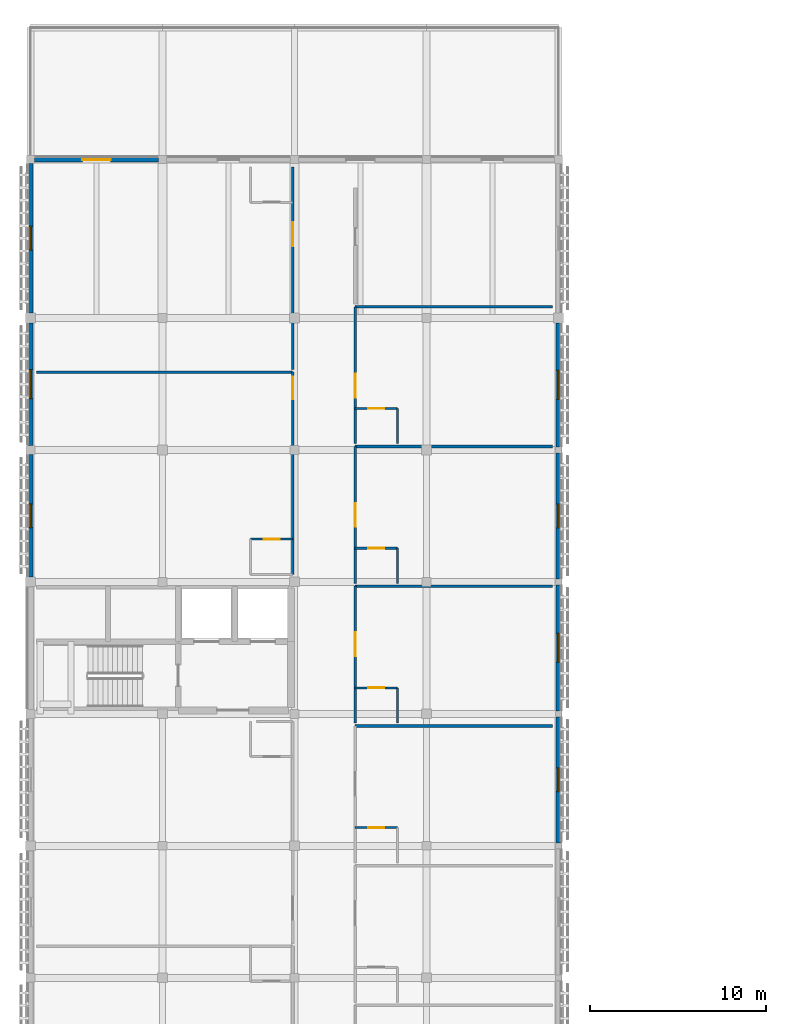
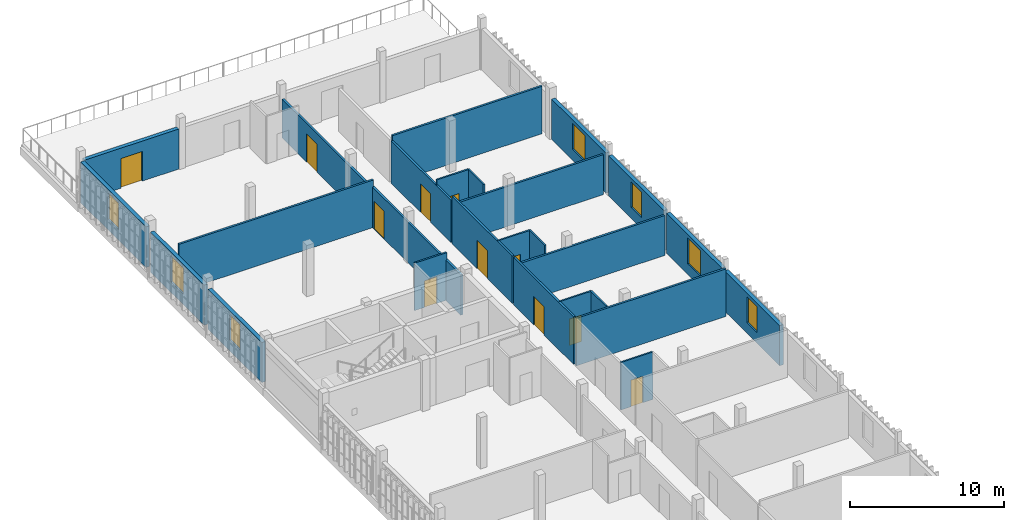
# One storey, part 7 of 17: 26 walls, 11 doors, 7 windows, 18 openings.
"""IFC4 building model written with IfcOpenShell, lengths in metres."""

from ifc_helpers import new_model, si_unit, direction, frame, frame_2d, origin, place, context, subcontext, project, spatial, rectangle, extrude, material, layer, layer_set, type_object, element, fill, save


model = new_model("IFC4")

# Units and contexts
model_context = context("Model", 3, precision=1e-05, world=origin(), true_north=direction((0.0, 1.0)))
body_context = subcontext(model_context, "Body", "Model", "MODEL_VIEW")
ifc_project = project(units=[si_unit("LENGTHUNIT", "METRE"), si_unit("AREAUNIT", "SQUARE_METRE"), si_unit("VOLUMEUNIT", "CUBIC_METRE"), si_unit("PLANEANGLEUNIT", "RADIAN"), si_unit("MASSUNIT", "GRAM", prefix="KILO")], contexts=[model_context])

# Site, building, storey
site_placement = place(None, origin())
site = spatial("IfcSite", under=ifc_project, at=site_placement, CompositionType="ELEMENT")
building_placement = place(site_placement, origin())
building = spatial("IfcBuilding", under=site, at=building_placement, Name="Dalvernix Boulevard General Hospital", CompositionType="ELEMENT")
storey_placement = place(building_placement, frame((0.0, 0.0, 25.949951171875)))
storey = spatial("IfcBuildingStorey", under=building, at=storey_placement, Name="L06", CompositionType="ELEMENT", Elevation=25.949951171875)

# Wall, opening, window
ifc_material_1 = material(Name="Screened upper-ward insulated masonry cavity wall C35/45", Category="masonry")
ifc_layer_1 = layer(ifc_material_1, 0.280029296875)
ifc_layer_set_1 = layer_set([ifc_layer_1], Name="Screened upper-ward insulated masonry cavity wall C35/45 (WAL-EW-03)")
wall_type_1 = type_object("IfcWallType", Name="WAL-EW-03", PredefinedType="STANDARD", material=ifc_layer_set_1)
wall_1_placement = place(storey_placement, frame((0.0, 61.784912109375, 0.0), z_axis=(0.0, 0.0, 1.0), x_axis=(0.0, 1.0, 0.0)))
wall_1 = element("IfcWall", 1, at=wall_1_placement, inside=storey, type_object=wall_type_1, Name="L06 Catalan brick external wall W 0-8", PredefinedType="STANDARD", context=body_context, shape_type="SweptSolid", body=[
    extrude(rectangle(XDim=6.955078125, YDim=0.280029296875, at=frame_2d((3.4775390625, 0.0))), origin(), (0.0, 0.0, 1.0), 3.170166015625),
])
opening_1_placement = place(wall_1_placement, frame((2.802490234375, 0.0, 0.85009765625)))
opening_1 = element("IfcOpeningElement", 2, at=opening_1_placement, cuts=wall_1, Name="Opening WN-19", PredefinedType="OPENING", context=body_context, shape_type="SweptSolid", body=[
    extrude(rectangle(XDim=1.35009765625, YDim=2.0400390625, at=frame_2d((0.675048828125, 1.02001953125))), frame((0.0, 0.14990234375, 0.0), z_axis=(0.0, -1.0, 0.0), x_axis=(1.0, 0.0, 0.0)), (0.0, 0.0, 1.0), 0.300048828125),
])
ifc_material_2 = material(Name="Thermally broken aluminium frame with solar-control double glazing", Category="aluminium")
window_type_1 = type_object("IfcWindowType", Name="WIN-WN-19", PartitioningType="SINGLE_PANEL", PredefinedType="WINDOW", material=ifc_material_2)
window_1_placement = place(opening_1_placement, origin())
window_1 = element("IfcWindow", 3, at=window_1_placement, inside=storey, type_object=window_type_1, Name="L06 clinical window WN-19 W 0-8", OverallHeight=2.0400390625, OverallWidth=1.35009765625, PartitioningType="SINGLE_PANEL", PredefinedType="WINDOW", context=body_context, shape_type="SweptSolid", body=[
    extrude(rectangle(XDim=1.35009765625, YDim=2.0400390625, at=frame_2d((0.675048828125, 1.02001953125))), frame((0.0, 0.030029296875, 0.0), z_axis=(0.0, -1.0, 0.0), x_axis=(1.0, 0.0, 0.0)), (0.0, 0.0, 1.0), 0.06005859375),
])
fill(opening_1, window_1)

wall_2_placement = place(storey_placement, frame((0.0, 69.260009765625, 0.0), z_axis=(0.0, 0.0, 1.0), x_axis=(0.0, 1.0, 0.0)))
wall_2 = element("IfcWall", 4, at=wall_2_placement, inside=storey, type_object=wall_type_1, Name="L06 Catalan brick external wall W 0-9", PredefinedType="STANDARD", context=body_context, shape_type="SweptSolid", body=[
    extrude(rectangle(XDim=6.955078125, YDim=0.280029296875, at=frame_2d((3.4775390625, 0.0))), origin(), (0.0, 0.0, 1.0), 3.170166015625),
])
opening_2_placement = place(wall_2_placement, frame((2.652587890625, 0.0, 0.85009765625)))
opening_2 = element("IfcOpeningElement", 5, at=opening_2_placement, cuts=wall_2, Name="Opening WN-20", PredefinedType="OPENING", context=body_context, shape_type="SweptSolid", body=[
    extrude(rectangle(XDim=1.64990234375, YDim=2.0400390625, at=frame_2d((0.824951171875, 1.02001953125))), frame((0.0, 0.14990234375, 0.0), z_axis=(0.0, -1.0, 0.0), x_axis=(1.0, 0.0, 0.0)), (0.0, 0.0, 1.0), 0.300048828125),
])
window_type_2 = type_object("IfcWindowType", Name="WIN-WN-20", PartitioningType="SINGLE_PANEL", PredefinedType="WINDOW", material=ifc_material_2)
window_2_placement = place(opening_2_placement, origin())
window_2 = element("IfcWindow", 6, at=window_2_placement, inside=storey, type_object=window_type_2, Name="L06 clinical window WN-20 W 0-9", OverallHeight=2.0400390625, OverallWidth=1.64990234375, PartitioningType="SINGLE_PANEL", PredefinedType="WINDOW", context=body_context, shape_type="SweptSolid", body=[
    extrude(rectangle(XDim=1.64990234375, YDim=2.0400390625, at=frame_2d((0.824951171875, 1.02001953125))), frame((0.0, 0.030029296875, 0.0), z_axis=(0.0, -1.0, 0.0), x_axis=(1.0, 0.0, 0.0)), (0.0, 0.0, 1.0), 0.06005859375),
])
fill(opening_2, window_2)

# Wall, opening, door
wall_3_placement = place(storey_placement, frame((0.235107421875, 85.5, 0.0), z_axis=(0.0, 0.0, 1.0), x_axis=(1.0, 0.0, 0.0)))
wall_3 = element("IfcWall", 7, at=wall_3_placement, inside=storey, type_object=wall_type_1, Name="L06 Catalan brick external wall N 0-11", PredefinedType="STANDARD", context=body_context, shape_type="SweptSolid", body=[
    extrude(rectangle(XDim=7.02978515625, YDim=0.280029296875, at=frame_2d((3.514892578125, 0.0))), origin(), (0.0, 0.0, 1.0), 3.170166015625),
])
opening_3_placement = place(wall_3_placement, frame((2.715087890625, 0.0, 0.0)))
opening_3 = element("IfcOpeningElement", 8, at=opening_3_placement, cuts=wall_3, Name="Opening TD-16", PredefinedType="OPENING", context=body_context, shape_type="SweptSolid", body=[
    extrude(rectangle(XDim=1.60009765625, YDim=2.35009765625, at=frame_2d((0.800048828125, 1.175048828125))), frame((0.0, 0.14990234375, 0.0), z_axis=(0.0, -1.0, 0.0), x_axis=(1.0, 0.0, 0.0)), (0.0, 0.0, 1.0), 0.300048828125),
])
ifc_material_3 = material(Name="Powder-coated aluminium and laminated safety glass", Category="aluminium")
door_type_1 = type_object("IfcDoorType", Name="DR-TD-16", OperationType="DOUBLE_DOOR_SINGLE_SWING", PredefinedType="DOOR", material=ifc_material_3)
door_1_placement = place(opening_3_placement, origin())
door_1 = element("IfcDoor", 9, at=door_1_placement, inside=storey, type_object=door_type_1, Name="L06 ward terrace access door N 0-11", OperationType="DOUBLE_DOOR_SINGLE_SWING", OverallHeight=2.35009765625, OverallWidth=1.60009765625, PredefinedType="DOOR", context=body_context, shape_type="SweptSolid", body=[
    extrude(rectangle(XDim=1.60009765625, YDim=2.35009765625, at=frame_2d((0.800048828125, 1.175048828125))), frame((0.0, 0.02490234375, 0.0), z_axis=(0.0, -1.0, 0.0), x_axis=(1.0, 0.0, 0.0)), (0.0, 0.0, 1.0), 0.050048828125),
])
fill(opening_3, door_1)

# Wall, opening, window
wall_4_placement = place(storey_placement, frame((0.0, 76.784912109375, 0.0), z_axis=(0.0, 0.0, 1.0), x_axis=(0.0, 1.0, 0.0)))
wall_4 = element("IfcWall", 10, at=wall_4_placement, inside=storey, type_object=wall_type_1, Name="L06 Catalan brick external wall W 0-10", PredefinedType="STANDARD", context=body_context, shape_type="SweptSolid", body=[
    extrude(rectangle(XDim=8.47998046875, YDim=0.280029296875, at=frame_2d((4.239990234375, 0.0))), origin(), (0.0, 0.0, 1.0), 3.219970703125),
])
opening_4_placement = place(wall_4_placement, frame((3.56494140625, 0.0, 0.85009765625)))
opening_4 = element("IfcOpeningElement", 11, at=opening_4_placement, cuts=wall_4, Name="Opening WN-19", PredefinedType="OPENING", context=body_context, shape_type="SweptSolid", body=[
    extrude(rectangle(XDim=1.35009765625, YDim=2.090087890625, at=frame_2d((0.675048828125, 1.044921875))), frame((0.0, 0.14990234375, 0.0), z_axis=(0.0, -1.0, 0.0), x_axis=(1.0, 0.0, 0.0)), (0.0, 0.0, 1.0), 0.300048828125),
])
window_3_placement = place(opening_4_placement, origin())
window_3 = element("IfcWindow", 12, at=window_3_placement, inside=storey, type_object=window_type_1, Name="L06 clinical window WN-19 W 0-10", OverallHeight=2.090087890625, OverallWidth=1.35009765625, PartitioningType="SINGLE_PANEL", PredefinedType="WINDOW", context=body_context, shape_type="SweptSolid", body=[
    extrude(rectangle(XDim=1.35009765625, YDim=2.090087890625, at=frame_2d((0.675048828125, 1.044921875))), frame((0.0, 0.030029296875, 0.0), z_axis=(0.0, -1.0, 0.0), x_axis=(1.0, 0.0, 0.0)), (0.0, 0.0, 1.0), 0.06005859375),
])
fill(opening_4, window_3)

wall_5_placement = place(storey_placement, frame((30.0, 53.830078125, 0.0), z_axis=(0.0, 0.0, 1.0), x_axis=(0.0, -1.0, 0.0)))
wall_5 = element("IfcWall", 13, at=wall_5_placement, inside=storey, type_object=wall_type_1, Name="L06 Catalan brick external wall E 4-6", PredefinedType="STANDARD", context=body_context, shape_type="SweptSolid", body=[
    extrude(rectangle(XDim=7.16015625, YDim=0.280029296875, at=frame_2d((3.580078125, 0.0))), origin(), (0.0, 0.0, 1.0), 3.170166015625),
])
opening_5_placement = place(wall_5_placement, frame((2.905029296875, 0.0, 0.85009765625)))
opening_5 = element("IfcOpeningElement", 14, at=opening_5_placement, cuts=wall_5, Name="Opening WN-19", PredefinedType="OPENING", context=body_context, shape_type="SweptSolid", body=[
    extrude(rectangle(XDim=1.35009765625, YDim=2.0400390625, at=frame_2d((0.675048828125, 1.02001953125))), frame((0.0, 0.14990234375, 0.0), z_axis=(0.0, -1.0, 0.0), x_axis=(1.0, 0.0, 0.0)), (0.0, 0.0, 1.0), 0.300048828125),
])
window_4_placement = place(opening_5_placement, origin())
window_4 = element("IfcWindow", 15, at=window_4_placement, inside=storey, type_object=window_type_1, Name="L06 clinical window WN-19 E 4-6", OverallHeight=2.0400390625, OverallWidth=1.35009765625, PartitioningType="SINGLE_PANEL", PredefinedType="WINDOW", context=body_context, shape_type="SweptSolid", body=[
    extrude(rectangle(XDim=1.35009765625, YDim=2.0400390625, at=frame_2d((0.675048828125, 1.02001953125))), frame((0.0, 0.030029296875, 0.0), z_axis=(0.0, -1.0, 0.0), x_axis=(1.0, 0.0, 0.0)), (0.0, 0.0, 1.0), 0.06005859375),
])
fill(opening_5, window_4)

wall_6_placement = place(storey_placement, frame((30.0, 61.330078125, 0.0), z_axis=(0.0, 0.0, 1.0), x_axis=(0.0, -1.0, 0.0)))
wall_6 = element("IfcWall", 16, at=wall_6_placement, inside=storey, type_object=wall_type_1, Name="L06 Catalan brick external wall E 4-7", PredefinedType="STANDARD", context=body_context, shape_type="SweptSolid", body=[
    extrude(rectangle(XDim=7.16015625, YDim=0.280029296875, at=frame_2d((3.580078125, 0.0))), origin(), (0.0, 0.0, 1.0), 3.170166015625),
])
opening_6_placement = place(wall_6_placement, frame((2.7548828125, 0.0, 0.85009765625)))
opening_6 = element("IfcOpeningElement", 17, at=opening_6_placement, cuts=wall_6, Name="Opening WN-20", PredefinedType="OPENING", context=body_context, shape_type="SweptSolid", body=[
    extrude(rectangle(XDim=1.64990234375, YDim=2.0400390625, at=frame_2d((0.824951171875, 1.02001953125))), frame((0.0, 0.14990234375, 0.0), z_axis=(0.0, -1.0, 0.0), x_axis=(1.0, 0.0, 0.0)), (0.0, 0.0, 1.0), 0.300048828125),
])
window_5_placement = place(opening_6_placement, origin())
window_5 = element("IfcWindow", 18, at=window_5_placement, inside=storey, type_object=window_type_2, Name="L06 clinical window WN-20 E 4-7", OverallHeight=2.0400390625, OverallWidth=1.64990234375, PartitioningType="SINGLE_PANEL", PredefinedType="WINDOW", context=body_context, shape_type="SweptSolid", body=[
    extrude(rectangle(XDim=1.64990234375, YDim=2.0400390625, at=frame_2d((0.824951171875, 1.02001953125))), frame((0.0, 0.030029296875, 0.0), z_axis=(0.0, -1.0, 0.0), x_axis=(1.0, 0.0, 0.0)), (0.0, 0.0, 1.0), 0.06005859375),
])
fill(opening_6, window_5)

wall_7_placement = place(storey_placement, frame((30.0, 68.830078125, 0.0), z_axis=(0.0, 0.0, 1.0), x_axis=(0.0, -1.0, 0.0)))
wall_7 = element("IfcWall", 19, at=wall_7_placement, inside=storey, type_object=wall_type_1, Name="L06 Catalan brick external wall E 4-8", PredefinedType="STANDARD", context=body_context, shape_type="SweptSolid", body=[
    extrude(rectangle(XDim=7.16015625, YDim=0.280029296875, at=frame_2d((3.580078125, 0.0))), origin(), (0.0, 0.0, 1.0), 3.170166015625),
])
opening_7_placement = place(wall_7_placement, frame((2.905029296875, 0.0, 0.85009765625)))
opening_7 = element("IfcOpeningElement", 20, at=opening_7_placement, cuts=wall_7, Name="Opening WN-19", PredefinedType="OPENING", context=body_context, shape_type="SweptSolid", body=[
    extrude(rectangle(XDim=1.35009765625, YDim=2.0400390625, at=frame_2d((0.675048828125, 1.02001953125))), frame((0.0, 0.14990234375, 0.0), z_axis=(0.0, -1.0, 0.0), x_axis=(1.0, 0.0, 0.0)), (0.0, 0.0, 1.0), 0.300048828125),
])
window_6_placement = place(opening_7_placement, origin())
window_6 = element("IfcWindow", 21, at=window_6_placement, inside=storey, type_object=window_type_1, Name="L06 clinical window WN-19 E 4-8", OverallHeight=2.0400390625, OverallWidth=1.35009765625, PartitioningType="SINGLE_PANEL", PredefinedType="WINDOW", context=body_context, shape_type="SweptSolid", body=[
    extrude(rectangle(XDim=1.35009765625, YDim=2.0400390625, at=frame_2d((0.675048828125, 1.02001953125))), frame((0.0, 0.030029296875, 0.0), z_axis=(0.0, -1.0, 0.0), x_axis=(1.0, 0.0, 0.0)), (0.0, 0.0, 1.0), 0.06005859375),
])
fill(opening_7, window_6)

wall_8_placement = place(storey_placement, frame((30.0, 76.215087890625, 0.0), z_axis=(0.0, 0.0, 1.0), x_axis=(0.0, -1.0, 0.0)))
wall_8 = element("IfcWall", 22, at=wall_8_placement, inside=storey, type_object=wall_type_1, Name="L06 Catalan brick external wall E 4-9", PredefinedType="STANDARD", context=body_context, shape_type="SweptSolid", body=[
    extrude(rectangle(XDim=7.045166015625, YDim=0.280029296875, at=frame_2d((3.5224609375, 0.0))), origin(), (0.0, 0.0, 1.0), 3.170166015625),
])
opening_8_placement = place(wall_8_placement, frame((2.697509765625, 0.0, 0.85009765625)))
opening_8 = element("IfcOpeningElement", 23, at=opening_8_placement, cuts=wall_8, Name="Opening WN-20", PredefinedType="OPENING", context=body_context, shape_type="SweptSolid", body=[
    extrude(rectangle(XDim=1.64990234375, YDim=2.0400390625, at=frame_2d((0.824951171875, 1.02001953125))), frame((0.0, 0.14990234375, 0.0), z_axis=(0.0, -1.0, 0.0), x_axis=(1.0, 0.0, 0.0)), (0.0, 0.0, 1.0), 0.300048828125),
])
window_7_placement = place(opening_8_placement, origin())
window_7 = element("IfcWindow", 24, at=window_7_placement, inside=storey, type_object=window_type_2, Name="L06 clinical window WN-20 E 4-9", OverallHeight=2.0400390625, OverallWidth=1.64990234375, PartitioningType="SINGLE_PANEL", PredefinedType="WINDOW", context=body_context, shape_type="SweptSolid", body=[
    extrude(rectangle(XDim=1.64990234375, YDim=2.0400390625, at=frame_2d((0.824951171875, 1.02001953125))), frame((0.0, 0.030029296875, 0.0), z_axis=(0.0, -1.0, 0.0), x_axis=(1.0, 0.0, 0.0)), (0.0, 0.0, 1.0), 0.06005859375),
])
fill(opening_8, window_7)

# Wall, opening, door
ifc_material_4 = material(Name="Acoustic double-stud gypsum inpatient partition")
ifc_layer_2 = layer(ifc_material_4, 0.14990234375)
ifc_layer_set_2 = layer_set([ifc_layer_2], Name="Acoustic double-stud gypsum inpatient partition (WAL-IW-04)")
wall_type_2 = type_object("IfcWallType", Name="WAL-IW-04", PredefinedType="PARTITIONING", material=ifc_layer_set_2)
wall_9_placement = place(storey_placement, frame((14.89990234375, 61.929931640625, 0.0), z_axis=(0.0, 0.0, 1.0), x_axis=(0.0, 1.0, 0.0)))
wall_9 = element("IfcWall", 25, at=wall_9_placement, inside=storey, type_object=wall_type_2, Name="L06 Negative-Pressure Isolation Room L06-W05 corridor wall", PredefinedType="PARTITIONING", context=body_context, shape_type="SweptSolid", body=[
    extrude(rectangle(XDim=11.489990234375, YDim=0.14990234375, at=frame_2d((5.7451171875, 0.0))), origin(), (0.0, 0.0, 1.0), 3.205078125),
])
opening_9_placement = place(wall_9_placement, frame((9.93994140625, 0.0, 0.0)))
opening_9 = element("IfcOpeningElement", 26, at=opening_9_placement, cuts=wall_9, Name="Opening ID-03", PredefinedType="OPENING", context=body_context, shape_type="SweptSolid", body=[
    extrude(rectangle(XDim=1.300048828125, YDim=2.199951171875, at=frame_2d((0.64990234375, 1.10009765625))), frame((0.0, 0.0849609375, 0.0), z_axis=(0.0, -1.0, 0.0), x_axis=(1.0, 0.0, 0.0)), (0.0, 0.0, 1.0), 0.169921875),
])
ifc_material_5 = material(Name="Hospital laminate acoustic timber and steel frame", Category="steel")
door_type_2 = type_object("IfcDoorType", Name="DR-ID-03", OperationType="NOTDEFINED", PredefinedType="DOOR", material=ifc_material_5)
door_2_placement = place(opening_9_placement, origin())
door_2 = element("IfcDoor", 27, at=door_2_placement, inside=storey, type_object=door_type_2, Name="L06 Negative-Pressure Isolation Room L06-W05 door", OperationType="SINGLE_SWING_RIGHT", OverallHeight=2.199951171875, OverallWidth=1.300048828125, PredefinedType="DOOR", context=body_context, shape_type="SweptSolid", body=[
    extrude(rectangle(XDim=1.300048828125, YDim=2.199951171875, at=frame_2d((0.64990234375, 1.10009765625))), frame((0.0, 0.02490234375, 0.0), z_axis=(0.0, -1.0, 0.0), x_axis=(1.0, 0.0, 0.0)), (0.0, 0.0, 1.0), 0.050048828125),
])
fill(opening_9, door_2)

wall_10_placement = place(storey_placement, frame((14.89990234375, 73.580078125, 0.0), z_axis=(0.0, 0.0, 1.0), x_axis=(0.0, 1.0, 0.0)))
wall_10 = element("IfcWall", 28, at=wall_10_placement, inside=storey, type_object=wall_type_2, Name="L06 Neurology Single Patient Room L06-W06 corridor wall", PredefinedType="PARTITIONING", context=body_context, shape_type="SweptSolid", body=[
    extrude(rectangle(XDim=11.489990234375, YDim=0.14990234375, at=frame_2d((5.7451171875, 0.0))), origin(), (0.0, 0.0, 1.0), 3.054931640625),
])
opening_10_placement = place(wall_10_placement, frame((6.998046875, 0.0, 0.0)))
opening_10 = element("IfcOpeningElement", 29, at=opening_10_placement, cuts=wall_10, Name="Opening ID-01", PredefinedType="OPENING", context=body_context, shape_type="SweptSolid", body=[
    extrude(rectangle(XDim=1.35009765625, YDim=2.25, at=frame_2d((0.675048828125, 1.125))), frame((0.0, 0.0849609375, 0.0), z_axis=(0.0, -1.0, 0.0), x_axis=(1.0, 0.0, 0.0)), (0.0, 0.0, 1.0), 0.169921875),
])
door_type_3 = type_object("IfcDoorType", Name="DR-ID-01", OperationType="NOTDEFINED", PredefinedType="DOOR", material=ifc_material_5)
door_3_placement = place(opening_10_placement, origin())
door_3 = element("IfcDoor", 30, at=door_3_placement, inside=storey, type_object=door_type_3, Name="L06 Neurology Single Patient Room L06-W06 door", OperationType="SINGLE_SWING_RIGHT", OverallHeight=2.25, OverallWidth=1.35009765625, PredefinedType="DOOR", context=body_context, shape_type="SweptSolid", body=[
    extrude(rectangle(XDim=1.35009765625, YDim=2.25, at=frame_2d((0.675048828125, 1.125))), frame((0.0, 0.02490234375, 0.0), z_axis=(0.0, -1.0, 0.0), x_axis=(1.0, 0.0, 0.0)), (0.0, 0.0, 1.0), 0.050048828125),
])
fill(opening_10, door_3)

wall_11_placement = place(storey_placement, frame((18.449951171875, 61.25341796875, 0.0), z_axis=(0.0, 0.0, 1.0), x_axis=(0.0, -1.0, 0.0)))
wall_11 = element("IfcWall", 31, at=wall_11_placement, inside=storey, type_object=wall_type_2, Name="L06 Single Patient Room L06-E05 corridor wall", PredefinedType="PARTITIONING", context=body_context, shape_type="SweptSolid", body=[
    extrude(rectangle(XDim=7.779052734375, YDim=0.14990234375, at=frame_2d((3.8896484375, 0.0))), origin(), (0.0, 0.0, 1.0), 3.755126953125),
])
opening_11_placement = place(wall_11_placement, frame((2.62158203125, 0.0, 0.0)))
opening_11 = element("IfcOpeningElement", 32, at=opening_11_placement, cuts=wall_11, Name="Opening ID-01", PredefinedType="OPENING", context=body_context, shape_type="SweptSolid", body=[
    extrude(rectangle(XDim=1.35009765625, YDim=2.25, at=frame_2d((0.675048828125, 1.125))), frame((0.0, 0.0849609375, 0.0), z_axis=(0.0, -1.0, 0.0), x_axis=(1.0, 0.0, 0.0)), (0.0, 0.0, 1.0), 0.169921875),
])
door_4_placement = place(opening_11_placement, origin())
door_4 = element("IfcDoor", 33, at=door_4_placement, inside=storey, type_object=door_type_3, Name="L06 Single Patient Room L06-E05 door", OperationType="SINGLE_SWING_LEFT", OverallHeight=2.25, OverallWidth=1.35009765625, PredefinedType="DOOR", context=body_context, shape_type="SweptSolid", body=[
    extrude(rectangle(XDim=1.35009765625, YDim=2.25, at=frame_2d((0.675048828125, 1.125))), frame((0.0, 0.02490234375, 0.0), z_axis=(0.0, -1.0, 0.0), x_axis=(1.0, 0.0, 0.0)), (0.0, 0.0, 1.0), 0.050048828125),
])
fill(opening_11, door_4)

wall_12_placement = place(storey_placement, frame((18.449951171875, 69.192138671875, 0.0), z_axis=(0.0, 0.0, 1.0), x_axis=(0.0, -1.0, 0.0)))
wall_12 = element("IfcWall", 34, at=wall_12_placement, inside=storey, type_object=wall_type_2, Name="L06 Single Patient Room L06-E06 corridor wall", PredefinedType="PARTITIONING", context=body_context, shape_type="SweptSolid", body=[
    extrude(rectangle(XDim=7.77880859375, YDim=0.14990234375, at=frame_2d((3.889404296875, 0.0))), origin(), (0.0, 0.0, 1.0), 3.755126953125),
])
opening_12_placement = place(wall_12_placement, frame((3.214599609375, 0.0, 0.0)))
opening_12 = element("IfcOpeningElement", 35, at=opening_12_placement, cuts=wall_12, Name="Opening ID-01", PredefinedType="OPENING", context=body_context, shape_type="SweptSolid", body=[
    extrude(rectangle(XDim=1.35009765625, YDim=2.25, at=frame_2d((0.675048828125, 1.125))), frame((0.0, 0.0849609375, 0.0), z_axis=(0.0, -1.0, 0.0), x_axis=(1.0, 0.0, 0.0)), (0.0, 0.0, 1.0), 0.169921875),
])
door_5_placement = place(opening_12_placement, origin())
door_5 = element("IfcDoor", 36, at=door_5_placement, inside=storey, type_object=door_type_3, Name="L06 Single Patient Room L06-E06 door", OperationType="SINGLE_SWING_LEFT", OverallHeight=2.25, OverallWidth=1.35009765625, PredefinedType="DOOR", context=body_context, shape_type="SweptSolid", body=[
    extrude(rectangle(XDim=1.35009765625, YDim=2.25, at=frame_2d((0.675048828125, 1.125))), frame((0.0, 0.02490234375, 0.0), z_axis=(0.0, -1.0, 0.0), x_axis=(1.0, 0.0, 0.0)), (0.0, 0.0, 1.0), 0.050048828125),
])
fill(opening_12, door_5)

wall_13_placement = place(storey_placement, frame((18.449951171875, 77.131103515625, 0.0), z_axis=(0.0, 0.0, 1.0), x_axis=(0.0, -1.0, 0.0)))
wall_13 = element("IfcWall", 37, at=wall_13_placement, inside=storey, type_object=wall_type_2, Name="L06 Single Patient Room L06-E07 corridor wall", PredefinedType="PARTITIONING", context=body_context, shape_type="SweptSolid", body=[
    extrude(rectangle(XDim=7.77880859375, YDim=0.14990234375, at=frame_2d((3.889404296875, 0.0))), origin(), (0.0, 0.0, 1.0), 3.35498046875),
])
opening_13_placement = place(wall_13_placement, frame((3.807373046875, 0.0, 0.0)))
opening_13 = element("IfcOpeningElement", 38, at=opening_13_placement, cuts=wall_13, Name="Opening ID-01", PredefinedType="OPENING", context=body_context, shape_type="SweptSolid", body=[
    extrude(rectangle(XDim=1.35009765625, YDim=2.25, at=frame_2d((0.675048828125, 1.125))), frame((0.0, 0.0849609375, 0.0), z_axis=(0.0, -1.0, 0.0), x_axis=(1.0, 0.0, 0.0)), (0.0, 0.0, 1.0), 0.169921875),
])
door_6_placement = place(opening_13_placement, origin())
door_6 = element("IfcDoor", 39, at=door_6_placement, inside=storey, type_object=door_type_3, Name="L06 Single Patient Room L06-E07 door", OperationType="SINGLE_SWING_LEFT", OverallHeight=2.25, OverallWidth=1.35009765625, PredefinedType="DOOR", context=body_context, shape_type="SweptSolid", body=[
    extrude(rectangle(XDim=1.35009765625, YDim=2.25, at=frame_2d((0.675048828125, 1.125))), frame((0.0, 0.02490234375, 0.0), z_axis=(0.0, -1.0, 0.0), x_axis=(1.0, 0.0, 0.0)), (0.0, 0.0, 1.0), 0.050048828125),
])
fill(opening_13, door_6)

# Walls
wall_14_placement = place(storey_placement, frame((0.35009765625, 73.419921875, 0.0), z_axis=(0.0, 0.0, 1.0), x_axis=(1.0, 0.0, 0.0)))
element("IfcWall", 40, at=wall_14_placement, inside=storey, type_object=wall_type_2, Name="L06 Negative-Pressure Isolation Room L06-W05 partition", PredefinedType="PARTITIONING", context=body_context, shape_type="SweptSolid", body=[
    extrude(rectangle(XDim=14.5498046875, YDim=0.14990234375, at=frame_2d((7.27490234375, 0.0))), origin(), (0.0, 0.0, 1.0), 3.755126953125),
])
wall_15_placement = place(storey_placement, frame((18.449951171875, 53.314453125, 0.0), z_axis=(0.0, 0.0, 1.0), x_axis=(1.0, 0.0, 0.0)))
element("IfcWall", 41, at=wall_15_placement, inside=storey, type_object=wall_type_2, Name="L06 Single Patient Room L06-E04 partition", PredefinedType="PARTITIONING", context=body_context, shape_type="SweptSolid", body=[
    extrude(rectangle(XDim=11.199951171875, YDim=0.14990234375, at=frame_2d((5.60009765625, 0.0))), origin(), (0.0, 0.0, 1.0), 3.755126953125),
])
for number, where, z_axis, x_axis, name in (
    (42, (18.449951171875, 61.25341796875, 0.0), (0.0, 0.0, 1.0), (1.0, 0.0, 0.0), "L06 Single Patient Room L06-E05 partition"),
    (43, (18.449951171875, 69.192138671875, 0.0), (0.0, 0.0, 1.0), (1.0, 0.0, 0.0), "L06 Single Patient Room L06-E06 partition"),
):
    element("IfcWall", number, at=place(storey_placement, frame(where, z_axis=z_axis, x_axis=x_axis)), inside=storey, type_object=wall_type_2, Name=name, PredefinedType="PARTITIONING", context=body_context, shape_type="SweptSolid", body=[
        extrude(rectangle(XDim=11.199951171875, YDim=0.14990234375, at=frame_2d((5.60009765625, 0.0))), origin(), (0.0, 0.0, 1.0), 3.155029296875),
    ])
wall_16_placement = place(storey_placement, frame((18.449951171875, 77.131103515625, 0.0), z_axis=(0.0, 0.0, 1.0), x_axis=(1.0, 0.0, 0.0)))
element("IfcWall", 44, at=wall_16_placement, inside=storey, type_object=wall_type_2, Name="L06 Single Patient Room L06-E07 partition", PredefinedType="PARTITIONING", context=body_context, shape_type="SweptSolid", body=[
    extrude(rectangle(XDim=11.199951171875, YDim=0.14990234375, at=frame_2d((5.60009765625, 0.0))), origin(), (0.0, 0.0, 1.0), 3.755126953125),
])

# Wall, opening, door
ifc_material_6 = material(Name="Moisture-resistant en-suite bathroom partition")
ifc_layer_3 = layer(ifc_material_6, 0.1201171875)
ifc_layer_set_3 = layer_set([ifc_layer_3], Name="Moisture-resistant en-suite bathroom partition (WAL-IW-05)")
wall_type_3 = type_object("IfcWallType", Name="WAL-IW-05", PredefinedType="PARTITIONING", material=ifc_layer_set_3)
wall_17_placement = place(storey_placement, frame((14.89990234375, 63.929931640625, 0.0), z_axis=(0.0, 0.0, 1.0), x_axis=(-1.0, 0.0, 0.0)))
wall_17 = element("IfcWall", 45, at=wall_17_placement, inside=storey, type_object=wall_type_3, Name="L06 en-suite bathroom door wall", PredefinedType="PARTITIONING", context=body_context, shape_type="SweptSolid", body=[
    extrude(rectangle(XDim=2.39990234375, YDim=0.1201171875, at=frame_2d((1.199951171875, 0.0))), origin(), (0.0, 0.0, 1.0), 3.755126953125),
])
opening_14_placement = place(wall_17_placement, frame((0.75, 0.0, 0.0)))
opening_14 = element("IfcOpeningElement", 46, at=opening_14_placement, cuts=wall_17, Name="Opening ID-05", PredefinedType="OPENING", context=body_context, shape_type="SweptSolid", body=[
    extrude(rectangle(XDim=0.89990234375, YDim=2.10009765625, at=frame_2d((0.449951171875, 1.050048828125))), frame((0.0, 0.070068359375, 0.0), z_axis=(0.0, -1.0, 0.0), x_axis=(1.0, 0.0, 0.0)), (0.0, 0.0, 1.0), 0.14013671875),
])
door_type_4 = type_object("IfcDoorType", Name="DR-ID-05", OperationType="NOTDEFINED", PredefinedType="DOOR", material=ifc_material_5)
door_7_placement = place(opening_14_placement, origin())
door_7 = element("IfcDoor", 47, at=door_7_placement, inside=storey, type_object=door_type_4, Name="L06 L06-WRD-W05 en-suite bathroom door", OperationType="SINGLE_SWING_LEFT", OverallHeight=2.10009765625, OverallWidth=0.89990234375, PredefinedType="DOOR", context=body_context, shape_type="SweptSolid", body=[
    extrude(rectangle(XDim=0.89990234375, YDim=2.10009765625, at=frame_2d((0.449951171875, 1.050048828125))), frame((0.0, 0.02490234375, 0.0), z_axis=(0.0, -1.0, 0.0), x_axis=(1.0, 0.0, 0.0)), (0.0, 0.0, 1.0), 0.050048828125),
])
fill(opening_14, door_7)

wall_18_placement = place(storey_placement, frame((20.85009765625, 47.53564453125, 0.0), z_axis=(0.0, 0.0, 1.0), x_axis=(-1.0, 0.0, 0.0)))
wall_18 = element("IfcWall", 48, at=wall_18_placement, inside=storey, type_object=wall_type_3, Name="L06 en-suite bathroom door wall", PredefinedType="PARTITIONING", context=body_context, shape_type="SweptSolid", body=[
    extrude(rectangle(XDim=2.400146484375, YDim=0.1201171875, at=frame_2d((1.2001953125, 0.0))), origin(), (0.0, 0.0, 1.0), 3.755126953125),
])
opening_15_placement = place(wall_18_placement, frame((0.75, 0.0, 0.0)))
opening_15 = element("IfcOpeningElement", 49, at=opening_15_placement, cuts=wall_18, Name="Opening ID-05", PredefinedType="OPENING", context=body_context, shape_type="SweptSolid", body=[
    extrude(rectangle(XDim=0.89990234375, YDim=2.10009765625, at=frame_2d((0.449951171875, 1.050048828125))), frame((0.0, 0.070068359375, 0.0), z_axis=(0.0, -1.0, 0.0), x_axis=(1.0, 0.0, 0.0)), (0.0, 0.0, 1.0), 0.14013671875),
])
door_8_placement = place(opening_15_placement, origin())
door_8 = element("IfcDoor", 50, at=door_8_placement, inside=storey, type_object=door_type_4, Name="L06 L06-RM-E04 en-suite bathroom door", OperationType="SINGLE_SWING_RIGHT", OverallHeight=2.10009765625, OverallWidth=0.89990234375, PredefinedType="DOOR", context=body_context, shape_type="SweptSolid", body=[
    extrude(rectangle(XDim=0.89990234375, YDim=2.10009765625, at=frame_2d((0.449951171875, 1.050048828125))), frame((0.0, 0.02490234375, 0.0), z_axis=(0.0, -1.0, 0.0), x_axis=(1.0, 0.0, 0.0)), (0.0, 0.0, 1.0), 0.050048828125),
])
fill(opening_15, door_8)

wall_19_placement = place(storey_placement, frame((20.85009765625, 55.474365234375, 0.0), z_axis=(0.0, 0.0, 1.0), x_axis=(-1.0, 0.0, 0.0)))
wall_19 = element("IfcWall", 51, at=wall_19_placement, inside=storey, type_object=wall_type_3, Name="L06 en-suite bathroom door wall", PredefinedType="PARTITIONING", context=body_context, shape_type="SweptSolid", body=[
    extrude(rectangle(XDim=2.400146484375, YDim=0.1201171875, at=frame_2d((1.2001953125, 0.0))), origin(), (0.0, 0.0, 1.0), 3.755126953125),
])
opening_16_placement = place(wall_19_placement, frame((0.75, 0.0, 0.0)))
opening_16 = element("IfcOpeningElement", 52, at=opening_16_placement, cuts=wall_19, Name="Opening ID-05", PredefinedType="OPENING", context=body_context, shape_type="SweptSolid", body=[
    extrude(rectangle(XDim=0.89990234375, YDim=2.10009765625, at=frame_2d((0.449951171875, 1.050048828125))), frame((0.0, 0.070068359375, 0.0), z_axis=(0.0, -1.0, 0.0), x_axis=(1.0, 0.0, 0.0)), (0.0, 0.0, 1.0), 0.14013671875),
])
door_9_placement = place(opening_16_placement, origin())
door_9 = element("IfcDoor", 53, at=door_9_placement, inside=storey, type_object=door_type_4, Name="L06 L06-RM-E05 en-suite bathroom door", OperationType="SINGLE_SWING_RIGHT", OverallHeight=2.10009765625, OverallWidth=0.89990234375, PredefinedType="DOOR", context=body_context, shape_type="SweptSolid", body=[
    extrude(rectangle(XDim=0.89990234375, YDim=2.10009765625, at=frame_2d((0.449951171875, 1.050048828125))), frame((0.0, 0.02490234375, 0.0), z_axis=(0.0, -1.0, 0.0), x_axis=(1.0, 0.0, 0.0)), (0.0, 0.0, 1.0), 0.050048828125),
])
fill(opening_16, door_9)

# Wall
wall_20_placement = place(storey_placement, frame((20.85009765625, 53.474365234375, 0.0), z_axis=(0.0, 0.0, 1.0), x_axis=(0.0, 1.0, 0.0)))
element("IfcWall", 54, at=wall_20_placement, inside=storey, type_object=wall_type_3, Name="L06 en-suite bathroom side wall", PredefinedType="PARTITIONING", context=body_context, shape_type="SweptSolid", body=[
    extrude(rectangle(XDim=2.0, YDim=0.1201171875, at=frame_2d((1.0, 0.0))), origin(), (0.0, 0.0, 1.0), 3.755126953125),
])

# Wall, opening, door
wall_21_placement = place(storey_placement, frame((20.85009765625, 63.413330078125, 0.0), z_axis=(0.0, 0.0, 1.0), x_axis=(-1.0, 0.0, 0.0)))
wall_21 = element("IfcWall", 55, at=wall_21_placement, inside=storey, type_object=wall_type_3, Name="L06 en-suite bathroom door wall", PredefinedType="PARTITIONING", context=body_context, shape_type="SweptSolid", body=[
    extrude(rectangle(XDim=2.400146484375, YDim=0.1201171875, at=frame_2d((1.2001953125, 0.0))), origin(), (0.0, 0.0, 1.0), 3.755126953125),
])
opening_17_placement = place(wall_21_placement, frame((0.75, 0.0, 0.0)))
opening_17 = element("IfcOpeningElement", 56, at=opening_17_placement, cuts=wall_21, Name="Opening ID-05", PredefinedType="OPENING", context=body_context, shape_type="SweptSolid", body=[
    extrude(rectangle(XDim=0.89990234375, YDim=2.10009765625, at=frame_2d((0.449951171875, 1.050048828125))), frame((0.0, 0.070068359375, 0.0), z_axis=(0.0, -1.0, 0.0), x_axis=(1.0, 0.0, 0.0)), (0.0, 0.0, 1.0), 0.14013671875),
])
door_10_placement = place(opening_17_placement, origin())
door_10 = element("IfcDoor", 57, at=door_10_placement, inside=storey, type_object=door_type_4, Name="L06 L06-RM-E06 en-suite bathroom door", OperationType="SINGLE_SWING_RIGHT", OverallHeight=2.10009765625, OverallWidth=0.89990234375, PredefinedType="DOOR", context=body_context, shape_type="SweptSolid", body=[
    extrude(rectangle(XDim=0.89990234375, YDim=2.10009765625, at=frame_2d((0.449951171875, 1.050048828125))), frame((0.0, 0.02490234375, 0.0), z_axis=(0.0, -1.0, 0.0), x_axis=(1.0, 0.0, 0.0)), (0.0, 0.0, 1.0), 0.050048828125),
])
fill(opening_17, door_10)

# Wall
wall_22_placement = place(storey_placement, frame((20.85009765625, 61.413330078125, 0.0), z_axis=(0.0, 0.0, 1.0), x_axis=(0.0, 1.0, 0.0)))
element("IfcWall", 58, at=wall_22_placement, inside=storey, type_object=wall_type_3, Name="L06 en-suite bathroom side wall", PredefinedType="PARTITIONING", context=body_context, shape_type="SweptSolid", body=[
    extrude(rectangle(XDim=2.0, YDim=0.1201171875, at=frame_2d((1.0, 0.0))), origin(), (0.0, 0.0, 1.0), 3.755126953125),
])

# Wall, opening, door
wall_23_placement = place(storey_placement, frame((20.85009765625, 71.352294921875, 0.0), z_axis=(0.0, 0.0, 1.0), x_axis=(-1.0, 0.0, 0.0)))
wall_23 = element("IfcWall", 59, at=wall_23_placement, inside=storey, type_object=wall_type_3, Name="L06 en-suite bathroom door wall", PredefinedType="PARTITIONING", context=body_context, shape_type="SweptSolid", body=[
    extrude(rectangle(XDim=2.400146484375, YDim=0.1201171875, at=frame_2d((1.2001953125, 0.0))), origin(), (0.0, 0.0, 1.0), 3.755126953125),
])
opening_18_placement = place(wall_23_placement, frame((0.75, 0.0, 0.0)))
opening_18 = element("IfcOpeningElement", 60, at=opening_18_placement, cuts=wall_23, Name="Opening ID-05", PredefinedType="OPENING", context=body_context, shape_type="SweptSolid", body=[
    extrude(rectangle(XDim=0.89990234375, YDim=2.10009765625, at=frame_2d((0.449951171875, 1.050048828125))), frame((0.0, 0.070068359375, 0.0), z_axis=(0.0, -1.0, 0.0), x_axis=(1.0, 0.0, 0.0)), (0.0, 0.0, 1.0), 0.14013671875),
])
door_11_placement = place(opening_18_placement, origin())
door_11 = element("IfcDoor", 61, at=door_11_placement, inside=storey, type_object=door_type_4, Name="L06 L06-RM-E07 en-suite bathroom door", OperationType="SINGLE_SWING_RIGHT", OverallHeight=2.10009765625, OverallWidth=0.89990234375, PredefinedType="DOOR", context=body_context, shape_type="SweptSolid", body=[
    extrude(rectangle(XDim=0.89990234375, YDim=2.10009765625, at=frame_2d((0.449951171875, 1.050048828125))), frame((0.0, 0.02490234375, 0.0), z_axis=(0.0, -1.0, 0.0), x_axis=(1.0, 0.0, 0.0)), (0.0, 0.0, 1.0), 0.050048828125),
])
fill(opening_18, door_11)

# Wall
wall_24_placement = place(storey_placement, frame((20.85009765625, 69.352294921875, 0.0), z_axis=(0.0, 0.0, 1.0), x_axis=(0.0, 1.0, 0.0)))
element("IfcWall", 62, at=wall_24_placement, inside=storey, type_object=wall_type_3, Name="L06 en-suite bathroom side wall", PredefinedType="PARTITIONING", context=body_context, shape_type="SweptSolid", body=[
    extrude(rectangle(XDim=2.0, YDim=0.1201171875, at=frame_2d((1.0, 0.0))), origin(), (0.0, 0.0, 1.0), 3.755126953125),
])

save(model, "model.ifc")
